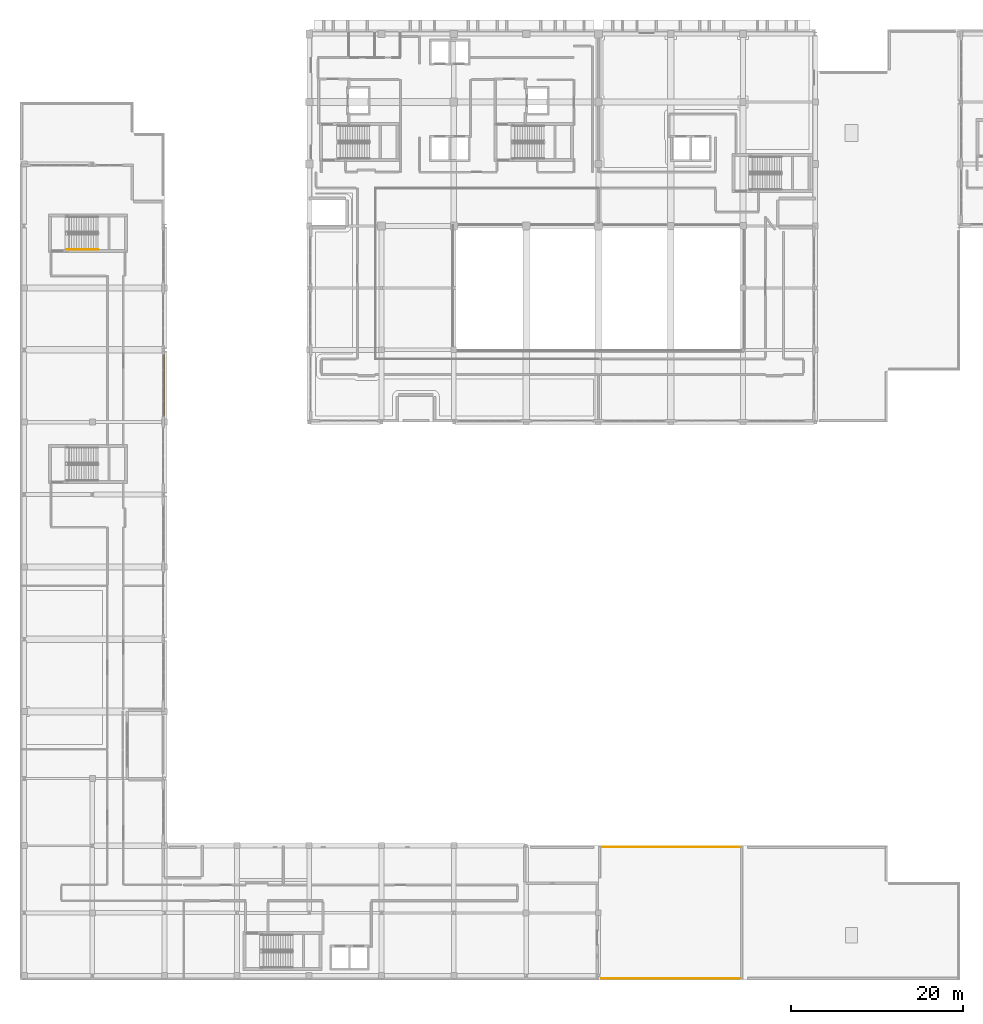
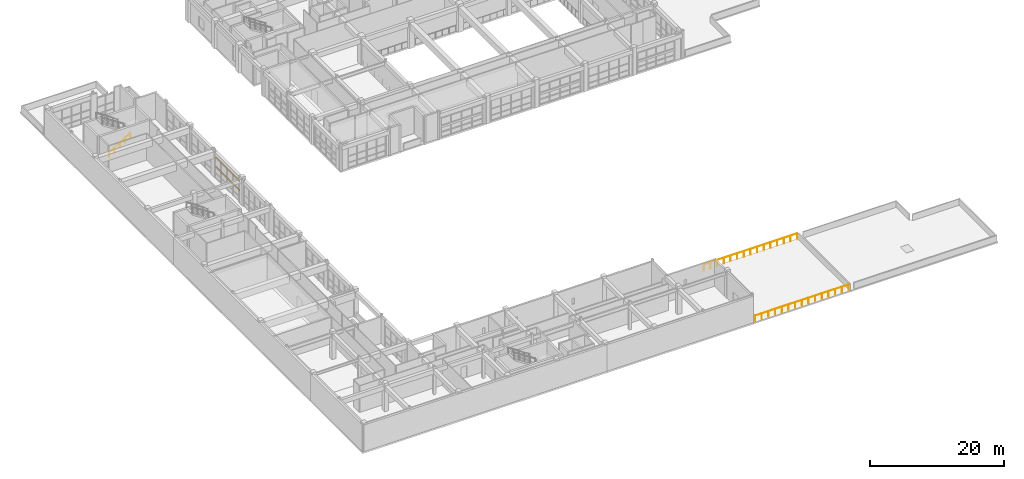
# One storey, part 70 of 78: 3 railings, 2 shading devices.
"""IFC4 building model written with IfcOpenShell, lengths in metres."""

from ifc_helpers import new_model, si_unit, direction, frame, origin, origin_2d, place, context, subcontext, project, spatial, hollow_rectangle, circle, extrude, material, material_profile, profile_set, type_object, element, save


model = new_model("IFC4")

# Units and contexts
model_context = context("Model", 3, precision=1e-05, world=origin(), true_north=direction((0.0, 1.0)))
body_context = subcontext(model_context, "Body", "Model", "MODEL_VIEW")
ifc_project = project(units=[si_unit("LENGTHUNIT", "METRE"), si_unit("AREAUNIT", "SQUARE_METRE"), si_unit("VOLUMEUNIT", "CUBIC_METRE"), si_unit("PLANEANGLEUNIT", "RADIAN"), si_unit("MASSUNIT", "GRAM", prefix="KILO")], contexts=[model_context])

# Site, building, storey
site_placement = place(None, origin())
site = spatial("IfcSite", under=ifc_project, at=site_placement, CompositionType="ELEMENT")
building_placement = place(site_placement, origin())
building = spatial("IfcBuilding", under=site, at=building_placement, Name="Quendrovan Civic Courthouse", CompositionType="ELEMENT")
storey_placement = place(building_placement, frame((0.0, 0.0, 10.199951171875)))
storey = spatial("IfcBuildingStorey", under=building, at=storey_placement, Name="L03", CompositionType="ELEMENT", Elevation=10.199951171875)

# Railings
ifc_material = material(Name="Bronze anodised aluminium", Category="aluminium")
railing_type_1 = type_object("IfcRailingType", Name="RL-EXT-GUARD1100", PredefinedType="GUARDRAIL", material=ifc_material)
railing_1_placement = place(storey_placement, frame((83.6201171875, 15.4599609375, 0.0)))
element("IfcRailing", 1, at=railing_1_placement, inside=storey, type_object=railing_type_1, Name="L03 Terrace Edge Guardrail 004", PredefinedType="GUARDRAIL", context=body_context, shape_type="SweptSolid", body=[
    extrude(circle(Radius=0.02392578125, at=origin_2d()), frame((0.0, 0.0, 1.09619140625), z_axis=(-1.0, 0.0, 0.0), x_axis=(0.0, -1.0, 0.0)), (0.0, 0.0, 1.0), 16.0400390625),
    extrude(circle(Radius=0.02099609375, at=origin_2d()), origin(), (0.0, 0.0, 1.0), 1.072021484375),
    extrude(circle(Radius=0.02099609375, at=origin_2d()), frame((-1.145751953125, 0.0, 0.0)), (0.0, 0.0, 1.0), 1.072021484375),
    extrude(circle(Radius=0.02099609375, at=origin_2d()), frame((-2.29150390625, 0.0, 0.0)), (0.0, 0.0, 1.0), 1.072021484375),
    extrude(circle(Radius=0.02099609375, at=origin_2d()), frame((-3.437255859375, 0.0, 0.0)), (0.0, 0.0, 1.0), 1.072021484375),
    extrude(circle(Radius=0.02099609375, at=origin_2d()), frame((-4.582763671875, 0.0, 0.0)), (0.0, 0.0, 1.0), 1.072021484375),
    extrude(circle(Radius=0.02099609375, at=origin_2d()), frame((-5.728515625, 0.0, 0.0)), (0.0, 0.0, 1.0), 1.072021484375),
    extrude(circle(Radius=0.02099609375, at=origin_2d()), frame((-6.874267578125, 0.0, 0.0)), (0.0, 0.0, 1.0), 1.072021484375),
    extrude(circle(Radius=0.02099609375, at=origin_2d()), frame((-8.02001953125, 0.0, 0.0)), (0.0, 0.0, 1.0), 1.072021484375),
    extrude(circle(Radius=0.02099609375, at=origin_2d()), frame((-9.165771484375, 0.0, 0.0)), (0.0, 0.0, 1.0), 1.072021484375),
    extrude(circle(Radius=0.02099609375, at=origin_2d()), frame((-10.3115234375, 0.0, 0.0)), (0.0, 0.0, 1.0), 1.072021484375),
    extrude(circle(Radius=0.02099609375, at=origin_2d()), frame((-11.457275390625, 0.0, 0.0)), (0.0, 0.0, 1.0), 1.072021484375),
    extrude(circle(Radius=0.02099609375, at=origin_2d()), frame((-12.602783203125, 0.0, 0.0)), (0.0, 0.0, 1.0), 1.072021484375),
    extrude(circle(Radius=0.02099609375, at=origin_2d()), frame((-13.74853515625, 0.0, 0.0)), (0.0, 0.0, 1.0), 1.072021484375),
    extrude(circle(Radius=0.02099609375, at=origin_2d()), frame((-14.894287109375, 0.0, 0.0)), (0.0, 0.0, 1.0), 1.072021484375),
    extrude(circle(Radius=0.02099609375, at=origin_2d()), frame((-16.0400390625, 0.0, 0.0)), (0.0, 0.0, 1.0), 1.072021484375),
])
railing_2_placement = place(storey_placement, frame((67.550048828125, 0.159912109375, 0.0)))
element("IfcRailing", 2, at=railing_2_placement, inside=storey, type_object=railing_type_1, Name="L03 Terrace Edge Guardrail 005", PredefinedType="GUARDRAIL", context=body_context, shape_type="SweptSolid", body=[
    extrude(circle(Radius=0.02392578125, at=origin_2d()), frame((0.0, 0.0, 1.09619140625), z_axis=(1.0, 0.0, 0.0), x_axis=(0.0, 1.0, 0.0)), (0.0, 0.0, 1.0), 16.070068359375),
    extrude(circle(Radius=0.02099609375, at=origin_2d()), origin(), (0.0, 0.0, 1.0), 1.072021484375),
    extrude(circle(Radius=0.02099609375, at=origin_2d()), frame((1.14794921875, 0.0, 0.0)), (0.0, 0.0, 1.0), 1.072021484375),
    extrude(circle(Radius=0.02099609375, at=origin_2d()), frame((2.295654296875, 0.0, 0.0)), (0.0, 0.0, 1.0), 1.072021484375),
    extrude(circle(Radius=0.02099609375, at=origin_2d()), frame((3.443603515625, 0.0, 0.0)), (0.0, 0.0, 1.0), 1.072021484375),
    extrude(circle(Radius=0.02099609375, at=origin_2d()), frame((4.591552734375, 0.0, 0.0)), (0.0, 0.0, 1.0), 1.072021484375),
    extrude(circle(Radius=0.02099609375, at=origin_2d()), frame((5.7392578125, 0.0, 0.0)), (0.0, 0.0, 1.0), 1.072021484375),
    extrude(circle(Radius=0.02099609375, at=origin_2d()), frame((6.88720703125, 0.0, 0.0)), (0.0, 0.0, 1.0), 1.072021484375),
    extrude(circle(Radius=0.02099609375, at=origin_2d()), frame((8.03515625, 0.0, 0.0)), (0.0, 0.0, 1.0), 1.072021484375),
    extrude(circle(Radius=0.02099609375, at=origin_2d()), frame((9.182861328125, 0.0, 0.0)), (0.0, 0.0, 1.0), 1.072021484375),
    extrude(circle(Radius=0.02099609375, at=origin_2d()), frame((10.330810546875, 0.0, 0.0)), (0.0, 0.0, 1.0), 1.072021484375),
    extrude(circle(Radius=0.02099609375, at=origin_2d()), frame((11.478515625, 0.0, 0.0)), (0.0, 0.0, 1.0), 1.072021484375),
    extrude(circle(Radius=0.02099609375, at=origin_2d()), frame((12.62646484375, 0.0, 0.0)), (0.0, 0.0, 1.0), 1.072021484375),
    extrude(circle(Radius=0.02099609375, at=origin_2d()), frame((13.7744140625, 0.0, 0.0)), (0.0, 0.0, 1.0), 1.072021484375),
    extrude(circle(Radius=0.02099609375, at=origin_2d()), frame((14.922119140625, 0.0, 0.0)), (0.0, 0.0, 1.0), 1.072021484375),
    extrude(circle(Radius=0.02099609375, at=origin_2d()), frame((16.070068359375, 0.0, 0.0)), (0.0, 0.0, 1.0), 1.072021484375),
])
railing_type_2 = type_object("IfcRailingType", Name="RL-STR-HAND900", PredefinedType="HANDRAIL", material=ifc_material)
railing_3_placement = place(storey_placement, frame((5.449951171875, 84.85009765625, 0.18212890625)))
element("IfcRailing", 3, at=railing_3_placement, inside=storey, type_object=railing_type_2, Name="L03 ST8 stair handrail 1", PredefinedType="HANDRAIL", context=body_context, shape_type="SweptSolid", body=[
    extrude(circle(Radius=0.02392578125, at=origin_2d()), frame((0.0, 0.0, 0.8759765625), z_axis=(0.83825089185, 0.0, 0.545284735081), x_axis=(0.0, 1.0, 0.0)), (0.0, 0.0, 1.0), 4.342529296875),
    extrude(circle(Radius=0.02099609375, at=origin_2d()), origin(), (0.0, 0.0, 1.0), 0.851806640625),
    extrude(circle(Radius=0.02099609375, at=origin_2d()), frame((0.91015625, 0.0, 0.592041015625)), (0.0, 0.0, 1.0), 0.851806640625),
    extrude(circle(Radius=0.02099609375, at=origin_2d()), frame((1.820068359375, 0.0, 1.18408203125)), (0.0, 0.0, 1.0), 0.851806640625),
    extrude(circle(Radius=0.02099609375, at=origin_2d()), frame((2.72998046875, 0.0, 1.77587890625)), (0.0, 0.0, 1.0), 0.851806640625),
    extrude(circle(Radius=0.02099609375, at=origin_2d()), frame((3.64013671875, 0.0, 2.367919921875)), (0.0, 0.0, 1.0), 0.851806640625),
])

# Shading devices
ifc_material_profile = material_profile(ifc_material, hollow_rectangle(XDim=0.06494140625, YDim=0.320068359375, WallThickness=0.0048828125, at=origin_2d()), Name="AL-LOUVRE-65x320")
ifc_profile_set = profile_set([ifc_material_profile], Name="Bronze anodised aluminium")
shading_device_type = type_object("IfcShadingDeviceType", Name="SHD-STORM-LOUVRE", PredefinedType="JALOUSIE", material=ifc_profile_set)
for number, where, z_axis, x_axis, name in (
    (4, (16.715087890625, 72.6630859375, 1.949951171875), (0.0, -1.0, 0.0), (1.0, 0.0, 0.0), "L03 Bronze Hurricane Storm Louvre SLV-121"),
    (5, (16.715087890625, 72.6630859375, 3.650146484375), (0.0, -1.0, 0.0), (1.0, 0.0, 0.0), "L03 Bronze Hurricane Storm Louvre SLV-122"),
):
    element("IfcShadingDevice", number, at=place(storey_placement, frame(where, z_axis=z_axis, x_axis=x_axis)), inside=storey, type_object=shading_device_type, Name=name, PredefinedType="JALOUSIE", context=body_context, shape_type="SweptSolid", body=[
        extrude(hollow_rectangle(XDim=0.06494140625, YDim=0.320068359375, WallThickness=0.0048828125, at=origin_2d()), origin(), (0.0, 0.0, 1.0), 7.1630859375),
    ])

save(model, "model.ifc")
